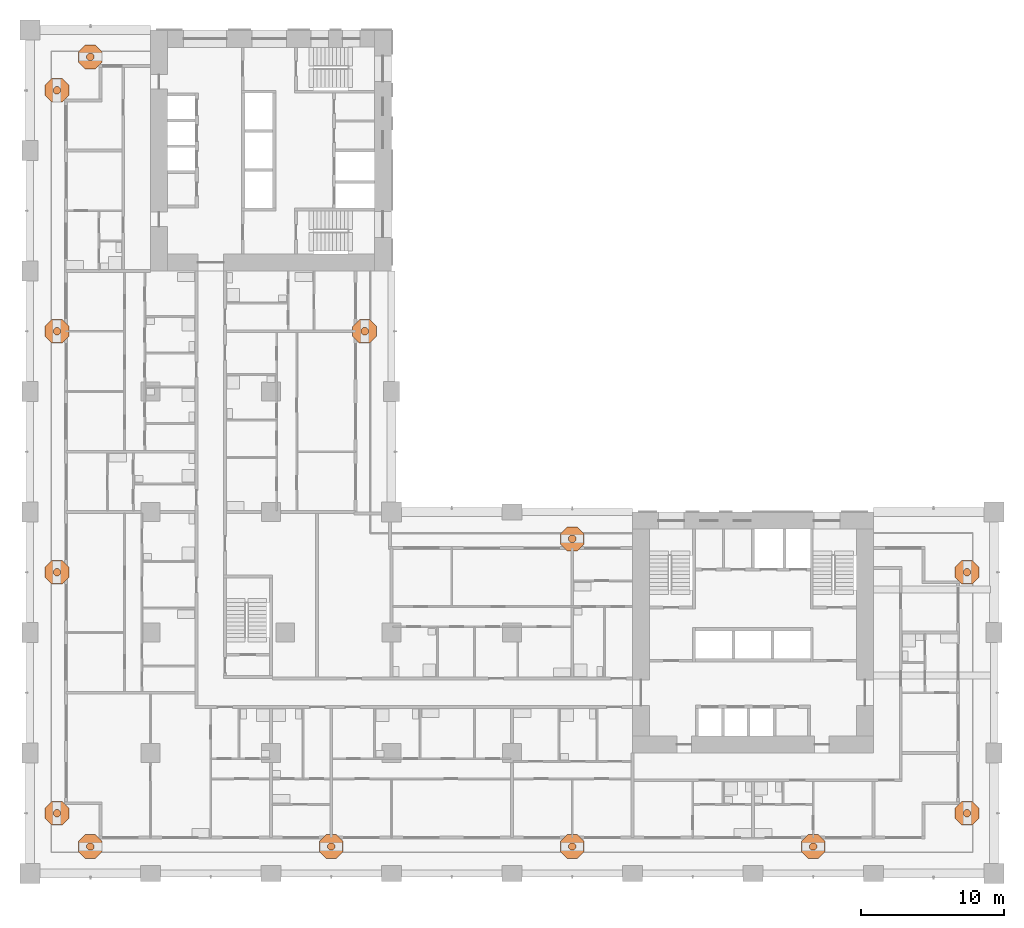
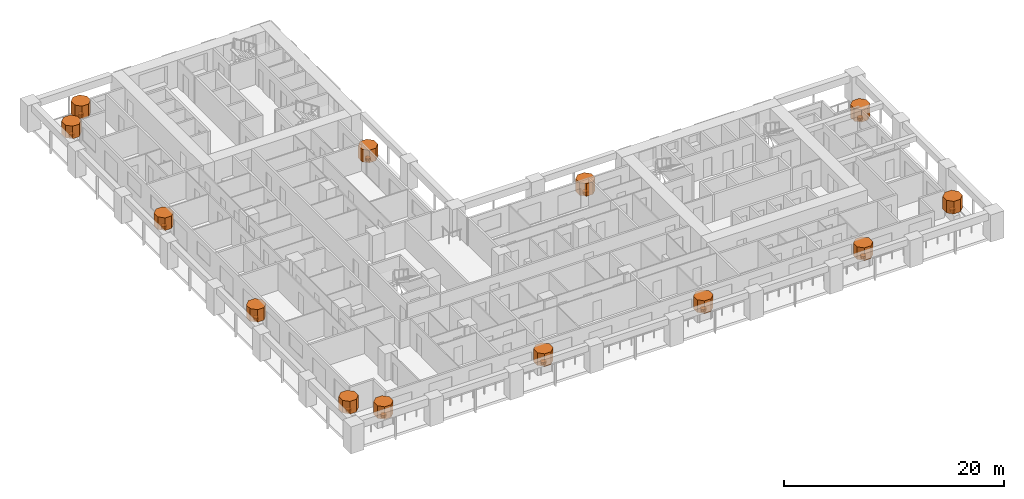
# One storey, part 21 of 21: 26 geographic elements.
"""IFC4 building model written with IfcOpenShell, lengths in metres."""

from ifc_helpers import new_model, si_unit, direction, frame, origin, place, context, subcontext, project, spatial, polyline, outline, extrude, material, element, save


model = new_model("IFC4")

# Units and contexts
model_context = context("Model", 3, precision=1e-05, world=origin(), true_north=direction((0.0, 1.0)))
body_context = subcontext(model_context, "Body", "Model", "MODEL_VIEW")
ifc_project = project(units=[si_unit("LENGTHUNIT", "METRE"), si_unit("AREAUNIT", "SQUARE_METRE"), si_unit("VOLUMEUNIT", "CUBIC_METRE"), si_unit("PLANEANGLEUNIT", "RADIAN"), si_unit("MASSUNIT", "GRAM", prefix="KILO")], contexts=[model_context])

# Site, building, storey
site_placement = place(None, origin())
site = spatial("IfcSite", under=ifc_project, at=site_placement, CompositionType="ELEMENT")
building_placement = place(site_placement, origin())
building = spatial("IfcBuilding", under=site, at=building_placement, Name="Vermilion Gate Residences", CompositionType="ELEMENT")
storey_placement = place(building_placement, frame((0.0, 0.0, 70.699951171875)))
storey = spatial("IfcBuildingStorey", under=building, at=storey_placement, Name="L17", CompositionType="ELEMENT", Elevation=70.699951171875)

# Geographic elements
ifc_material = material(Name="Foliage")
geographic_element_1_placement = place(storey_placement, frame((0.0, 0.0, 0.900146484375)))
element("IfcGeographicElement", 1, at=geographic_element_1_placement, inside=storey, material=ifc_material, Name="Tree (black pine)", ObjectType="TREE", PredefinedType="USERDEFINED", context=body_context, shape_type="SweptSolid", body=[
    extrude(outline(polyline([(4.4541015625, 1.980224609375), (4.30517578125, 2.129150390625), (4.0947265625, 2.129150390625), (3.94580078125, 1.980224609375), (3.94580078125, 1.769775390625), (4.0947265625, 1.620849609375), (4.30517578125, 1.620849609375), (4.4541015625, 1.769775390625), (4.4541015625, 1.980224609375)])), origin(), (0.0, 0.0, 1.0), 0.2998046875),
])
geographic_element_2_placement = place(storey_placement, frame((0.0, 0.0, 1.199951171875)))
element("IfcGeographicElement", 2, at=geographic_element_2_placement, inside=storey, material=ifc_material, Name="Tree crown (black pine)", ObjectType="TREE", PredefinedType="USERDEFINED", context=body_context, shape_type="SweptSolid", body=[
    extrude(outline(polyline([(5.031494140625, 2.219482421875), (4.54443359375, 2.70654296875), (3.855712890625, 2.70654296875), (3.368408203125, 2.219482421875), (3.368408203125, 1.530517578125), (3.855712890625, 1.04345703125), (4.54443359375, 1.04345703125), (5.031494140625, 1.530517578125), (5.031494140625, 2.219482421875)])), origin(), (0.0, 0.0, 1.0), 1.400146484375),
])
geographic_element_3_placement = place(storey_placement, frame((0.0, 0.0, 0.900146484375)))
element("IfcGeographicElement", 3, at=geographic_element_3_placement, inside=storey, material=ifc_material, Name="Tree (maple)", ObjectType="TREE", PredefinedType="USERDEFINED", context=body_context, shape_type="SweptSolid", body=[
    extrude(outline(polyline([(21.254150390625, 1.980224609375), (21.105224609375, 2.129150390625), (20.894775390625, 2.129150390625), (20.745849609375, 1.980224609375), (20.745849609375, 1.769775390625), (20.894775390625, 1.620849609375), (21.105224609375, 1.620849609375), (21.254150390625, 1.769775390625), (21.254150390625, 1.980224609375)])), origin(), (0.0, 0.0, 1.0), 0.2998046875),
])
geographic_element_4_placement = place(storey_placement, frame((0.0, 0.0, 1.199951171875)))
element("IfcGeographicElement", 4, at=geographic_element_4_placement, inside=storey, material=ifc_material, Name="Tree crown (maple)", ObjectType="TREE", PredefinedType="USERDEFINED", context=body_context, shape_type="SweptSolid", body=[
    extrude(outline(polyline([(21.83154296875, 2.219482421875), (21.344482421875, 2.70654296875), (20.655517578125, 2.70654296875), (20.16845703125, 2.219482421875), (20.16845703125, 1.530517578125), (20.655517578125, 1.04345703125), (21.344482421875, 1.04345703125), (21.83154296875, 1.530517578125), (21.83154296875, 2.219482421875)])), origin(), (0.0, 0.0, 1.0), 1.400146484375),
])
geographic_element_5_placement = place(storey_placement, frame((0.0, 0.0, 0.900146484375)))
element("IfcGeographicElement", 5, at=geographic_element_5_placement, inside=storey, material=ifc_material, Name="Tree (black pine)", ObjectType="TREE", PredefinedType="USERDEFINED", context=body_context, shape_type="SweptSolid", body=[
    extrude(outline(polyline([(38.05419921875, 1.980224609375), (37.9052734375, 2.129150390625), (37.69482421875, 2.129150390625), (37.5458984375, 1.980224609375), (37.5458984375, 1.769775390625), (37.69482421875, 1.620849609375), (37.9052734375, 1.620849609375), (38.05419921875, 1.769775390625), (38.05419921875, 1.980224609375)])), origin(), (0.0, 0.0, 1.0), 0.2998046875),
])
geographic_element_6_placement = place(storey_placement, frame((0.0, 0.0, 1.199951171875)))
element("IfcGeographicElement", 6, at=geographic_element_6_placement, inside=storey, material=ifc_material, Name="Tree crown (black pine)", ObjectType="TREE", PredefinedType="USERDEFINED", context=body_context, shape_type="SweptSolid", body=[
    extrude(outline(polyline([(38.631591796875, 2.219482421875), (38.144287109375, 2.70654296875), (37.45556640625, 2.70654296875), (36.968505859375, 2.219482421875), (36.968505859375, 1.530517578125), (37.45556640625, 1.04345703125), (38.144287109375, 1.04345703125), (38.631591796875, 1.530517578125), (38.631591796875, 2.219482421875)])), origin(), (0.0, 0.0, 1.0), 1.400146484375),
])
geographic_element_7_placement = place(storey_placement, frame((0.0, 0.0, 0.900146484375)))
element("IfcGeographicElement", 7, at=geographic_element_7_placement, inside=storey, material=ifc_material, Name="Tree (maple)", ObjectType="TREE", PredefinedType="USERDEFINED", context=body_context, shape_type="SweptSolid", body=[
    extrude(outline(polyline([(54.85400390625, 1.980224609375), (54.705078125, 2.129150390625), (54.494873046875, 2.129150390625), (54.345947265625, 1.980224609375), (54.345947265625, 1.769775390625), (54.494873046875, 1.620849609375), (54.705078125, 1.620849609375), (54.85400390625, 1.769775390625), (54.85400390625, 1.980224609375)])), origin(), (0.0, 0.0, 1.0), 0.2998046875),
])
geographic_element_8_placement = place(storey_placement, frame((0.0, 0.0, 1.199951171875)))
element("IfcGeographicElement", 8, at=geographic_element_8_placement, inside=storey, material=ifc_material, Name="Tree crown (maple)", ObjectType="TREE", PredefinedType="USERDEFINED", context=body_context, shape_type="SweptSolid", body=[
    extrude(outline(polyline([(55.431396484375, 2.219482421875), (54.9443359375, 2.70654296875), (54.255615234375, 2.70654296875), (53.7685546875, 2.219482421875), (53.7685546875, 1.530517578125), (54.255615234375, 1.04345703125), (54.9443359375, 1.04345703125), (55.431396484375, 1.530517578125), (55.431396484375, 2.219482421875)])), origin(), (0.0, 0.0, 1.0), 1.400146484375),
])
geographic_element_9_placement = place(storey_placement, frame((0.0, 0.0, 0.900146484375)))
element("IfcGeographicElement", 9, at=geographic_element_9_placement, inside=storey, material=ifc_material, Name="Tree (black pine)", ObjectType="TREE", PredefinedType="USERDEFINED", context=body_context, shape_type="SweptSolid", body=[
    extrude(outline(polyline([(65.5791015625, 4.30517578125), (65.43017578125, 4.4541015625), (65.2197265625, 4.4541015625), (65.07080078125, 4.30517578125), (65.07080078125, 4.0947265625), (65.2197265625, 3.94580078125), (65.43017578125, 3.94580078125), (65.5791015625, 4.0947265625), (65.5791015625, 4.30517578125)])), origin(), (0.0, 0.0, 1.0), 0.2998046875),
])
geographic_element_10_placement = place(storey_placement, frame((0.0, 0.0, 1.199951171875)))
element("IfcGeographicElement", 10, at=geographic_element_10_placement, inside=storey, material=ifc_material, Name="Tree crown (black pine)", ObjectType="TREE", PredefinedType="USERDEFINED", context=body_context, shape_type="SweptSolid", body=[
    extrude(outline(polyline([(66.156494140625, 4.54443359375), (65.66943359375, 5.031494140625), (64.980712890625, 5.031494140625), (64.493408203125, 4.54443359375), (64.493408203125, 3.855712890625), (64.980712890625, 3.368408203125), (65.66943359375, 3.368408203125), (66.156494140625, 3.855712890625), (66.156494140625, 4.54443359375)])), origin(), (0.0, 0.0, 1.0), 1.400146484375),
])
geographic_element_11_placement = place(storey_placement, frame((0.0, 0.0, 0.900146484375)))
element("IfcGeographicElement", 11, at=geographic_element_11_placement, inside=storey, material=ifc_material, Name="Tree (maple)", ObjectType="TREE", PredefinedType="USERDEFINED", context=body_context, shape_type="SweptSolid", body=[
    extrude(outline(polyline([(65.5791015625, 21.105224609375), (65.43017578125, 21.254150390625), (65.2197265625, 21.254150390625), (65.07080078125, 21.105224609375), (65.07080078125, 20.894775390625), (65.2197265625, 20.745849609375), (65.43017578125, 20.745849609375), (65.5791015625, 20.894775390625), (65.5791015625, 21.105224609375)])), origin(), (0.0, 0.0, 1.0), 0.2998046875),
])
geographic_element_12_placement = place(storey_placement, frame((0.0, 0.0, 1.199951171875)))
element("IfcGeographicElement", 12, at=geographic_element_12_placement, inside=storey, material=ifc_material, Name="Tree crown (maple)", ObjectType="TREE", PredefinedType="USERDEFINED", context=body_context, shape_type="SweptSolid", body=[
    extrude(outline(polyline([(66.156494140625, 21.344482421875), (65.66943359375, 21.83154296875), (64.980712890625, 21.83154296875), (64.493408203125, 21.344482421875), (64.493408203125, 20.655517578125), (64.980712890625, 20.16845703125), (65.66943359375, 20.16845703125), (66.156494140625, 20.655517578125), (66.156494140625, 21.344482421875)])), origin(), (0.0, 0.0, 1.0), 1.400146484375),
])
geographic_element_13_placement = place(storey_placement, frame((0.0, 0.0, 0.900146484375)))
element("IfcGeographicElement", 13, at=geographic_element_13_placement, inside=storey, material=ifc_material, Name="Tree (black pine)", ObjectType="TREE", PredefinedType="USERDEFINED", context=body_context, shape_type="SweptSolid", body=[
    extrude(outline(polyline([(38.05419921875, 23.43017578125), (37.9052734375, 23.5791015625), (37.69482421875, 23.5791015625), (37.5458984375, 23.43017578125), (37.5458984375, 23.2197265625), (37.69482421875, 23.07080078125), (37.9052734375, 23.07080078125), (38.05419921875, 23.2197265625), (38.05419921875, 23.43017578125)])), origin(), (0.0, 0.0, 1.0), 0.2998046875),
])
geographic_element_14_placement = place(storey_placement, frame((0.0, 0.0, 1.199951171875)))
element("IfcGeographicElement", 14, at=geographic_element_14_placement, inside=storey, material=ifc_material, Name="Tree crown (black pine)", ObjectType="TREE", PredefinedType="USERDEFINED", context=body_context, shape_type="SweptSolid", body=[
    extrude(outline(polyline([(38.631591796875, 23.66943359375), (38.144287109375, 24.156494140625), (37.45556640625, 24.156494140625), (36.968505859375, 23.66943359375), (36.968505859375, 22.980712890625), (37.45556640625, 22.493408203125), (38.144287109375, 22.493408203125), (38.631591796875, 22.980712890625), (38.631591796875, 23.66943359375)])), origin(), (0.0, 0.0, 1.0), 1.400146484375),
])
geographic_element_15_placement = place(storey_placement, frame((0.0, 0.0, 0.900146484375)))
element("IfcGeographicElement", 15, at=geographic_element_15_placement, inside=storey, material=ifc_material, Name="Tree (black pine)", ObjectType="TREE", PredefinedType="USERDEFINED", context=body_context, shape_type="SweptSolid", body=[
    extrude(outline(polyline([(23.5791015625, 37.9052734375), (23.43017578125, 38.05419921875), (23.2197265625, 38.05419921875), (23.07080078125, 37.9052734375), (23.07080078125, 37.69482421875), (23.2197265625, 37.5458984375), (23.43017578125, 37.5458984375), (23.5791015625, 37.69482421875), (23.5791015625, 37.9052734375)])), origin(), (0.0, 0.0, 1.0), 0.2998046875),
])
geographic_element_16_placement = place(storey_placement, frame((0.0, 0.0, 1.199951171875)))
element("IfcGeographicElement", 16, at=geographic_element_16_placement, inside=storey, material=ifc_material, Name="Tree crown (black pine)", ObjectType="TREE", PredefinedType="USERDEFINED", context=body_context, shape_type="SweptSolid", body=[
    extrude(outline(polyline([(24.156494140625, 38.144287109375), (23.66943359375, 38.631591796875), (22.980712890625, 38.631591796875), (22.493408203125, 38.144287109375), (22.493408203125, 37.45556640625), (22.980712890625, 36.968505859375), (23.66943359375, 36.968505859375), (24.156494140625, 37.45556640625), (24.156494140625, 38.144287109375)])), origin(), (0.0, 0.0, 1.0), 1.400146484375),
])
geographic_element_17_placement = place(storey_placement, frame((0.0, 0.0, 0.900146484375)))
element("IfcGeographicElement", 17, at=geographic_element_17_placement, inside=storey, material=ifc_material, Name="Tree (black pine)", ObjectType="TREE", PredefinedType="USERDEFINED", context=body_context, shape_type="SweptSolid", body=[
    extrude(outline(polyline([(4.4541015625, 57.0302734375), (4.30517578125, 57.17919921875), (4.0947265625, 57.17919921875), (3.94580078125, 57.0302734375), (3.94580078125, 56.81982421875), (4.0947265625, 56.6708984375), (4.30517578125, 56.6708984375), (4.4541015625, 56.81982421875), (4.4541015625, 57.0302734375)])), origin(), (0.0, 0.0, 1.0), 0.2998046875),
])
geographic_element_18_placement = place(storey_placement, frame((0.0, 0.0, 1.199951171875)))
element("IfcGeographicElement", 18, at=geographic_element_18_placement, inside=storey, material=ifc_material, Name="Tree crown (black pine)", ObjectType="TREE", PredefinedType="USERDEFINED", context=body_context, shape_type="SweptSolid", body=[
    extrude(outline(polyline([(5.031494140625, 57.269287109375), (4.54443359375, 57.756591796875), (3.855712890625, 57.756591796875), (3.368408203125, 57.269287109375), (3.368408203125, 56.58056640625), (3.855712890625, 56.093505859375), (4.54443359375, 56.093505859375), (5.031494140625, 56.58056640625), (5.031494140625, 57.269287109375)])), origin(), (0.0, 0.0, 1.0), 1.400146484375),
])
geographic_element_19_placement = place(storey_placement, frame((0.0, 0.0, 0.900146484375)))
element("IfcGeographicElement", 19, at=geographic_element_19_placement, inside=storey, material=ifc_material, Name="Tree (black pine)", ObjectType="TREE", PredefinedType="USERDEFINED", context=body_context, shape_type="SweptSolid", body=[
    extrude(outline(polyline([(2.129150390625, 4.30517578125), (1.980224609375, 4.4541015625), (1.769775390625, 4.4541015625), (1.620849609375, 4.30517578125), (1.620849609375, 4.0947265625), (1.769775390625, 3.94580078125), (1.980224609375, 3.94580078125), (2.129150390625, 4.0947265625), (2.129150390625, 4.30517578125)])), origin(), (0.0, 0.0, 1.0), 0.2998046875),
])
geographic_element_20_placement = place(storey_placement, frame((0.0, 0.0, 1.199951171875)))
element("IfcGeographicElement", 20, at=geographic_element_20_placement, inside=storey, material=ifc_material, Name="Tree crown (black pine)", ObjectType="TREE", PredefinedType="USERDEFINED", context=body_context, shape_type="SweptSolid", body=[
    extrude(outline(polyline([(2.70654296875, 4.54443359375), (2.219482421875, 5.031494140625), (1.530517578125, 5.031494140625), (1.04345703125, 4.54443359375), (1.04345703125, 3.855712890625), (1.530517578125, 3.368408203125), (2.219482421875, 3.368408203125), (2.70654296875, 3.855712890625), (2.70654296875, 4.54443359375)])), origin(), (0.0, 0.0, 1.0), 1.400146484375),
])
geographic_element_21_placement = place(storey_placement, frame((0.0, 0.0, 0.900146484375)))
element("IfcGeographicElement", 21, at=geographic_element_21_placement, inside=storey, material=ifc_material, Name="Tree (maple)", ObjectType="TREE", PredefinedType="USERDEFINED", context=body_context, shape_type="SweptSolid", body=[
    extrude(outline(polyline([(2.129150390625, 21.105224609375), (1.980224609375, 21.254150390625), (1.769775390625, 21.254150390625), (1.620849609375, 21.105224609375), (1.620849609375, 20.894775390625), (1.769775390625, 20.745849609375), (1.980224609375, 20.745849609375), (2.129150390625, 20.894775390625), (2.129150390625, 21.105224609375)])), origin(), (0.0, 0.0, 1.0), 0.2998046875),
])
geographic_element_22_placement = place(storey_placement, frame((0.0, 0.0, 1.199951171875)))
element("IfcGeographicElement", 22, at=geographic_element_22_placement, inside=storey, material=ifc_material, Name="Tree crown (maple)", ObjectType="TREE", PredefinedType="USERDEFINED", context=body_context, shape_type="SweptSolid", body=[
    extrude(outline(polyline([(2.70654296875, 21.344482421875), (2.219482421875, 21.83154296875), (1.530517578125, 21.83154296875), (1.04345703125, 21.344482421875), (1.04345703125, 20.655517578125), (1.530517578125, 20.16845703125), (2.219482421875, 20.16845703125), (2.70654296875, 20.655517578125), (2.70654296875, 21.344482421875)])), origin(), (0.0, 0.0, 1.0), 1.400146484375),
])
geographic_element_23_placement = place(storey_placement, frame((0.0, 0.0, 0.900146484375)))
element("IfcGeographicElement", 23, at=geographic_element_23_placement, inside=storey, material=ifc_material, Name="Tree (black pine)", ObjectType="TREE", PredefinedType="USERDEFINED", context=body_context, shape_type="SweptSolid", body=[
    extrude(outline(polyline([(2.129150390625, 37.9052734375), (1.980224609375, 38.05419921875), (1.769775390625, 38.05419921875), (1.620849609375, 37.9052734375), (1.620849609375, 37.69482421875), (1.769775390625, 37.5458984375), (1.980224609375, 37.5458984375), (2.129150390625, 37.69482421875), (2.129150390625, 37.9052734375)])), origin(), (0.0, 0.0, 1.0), 0.2998046875),
])
geographic_element_24_placement = place(storey_placement, frame((0.0, 0.0, 1.199951171875)))
element("IfcGeographicElement", 24, at=geographic_element_24_placement, inside=storey, material=ifc_material, Name="Tree crown (black pine)", ObjectType="TREE", PredefinedType="USERDEFINED", context=body_context, shape_type="SweptSolid", body=[
    extrude(outline(polyline([(2.70654296875, 38.144287109375), (2.219482421875, 38.631591796875), (1.530517578125, 38.631591796875), (1.04345703125, 38.144287109375), (1.04345703125, 37.45556640625), (1.530517578125, 36.968505859375), (2.219482421875, 36.968505859375), (2.70654296875, 37.45556640625), (2.70654296875, 38.144287109375)])), origin(), (0.0, 0.0, 1.0), 1.400146484375),
])
geographic_element_25_placement = place(storey_placement, frame((0.0, 0.0, 0.900146484375)))
element("IfcGeographicElement", 25, at=geographic_element_25_placement, inside=storey, material=ifc_material, Name="Tree (maple)", ObjectType="TREE", PredefinedType="USERDEFINED", context=body_context, shape_type="SweptSolid", body=[
    extrude(outline(polyline([(2.129150390625, 54.705078125), (1.980224609375, 54.85400390625), (1.769775390625, 54.85400390625), (1.620849609375, 54.705078125), (1.620849609375, 54.494873046875), (1.769775390625, 54.345947265625), (1.980224609375, 54.345947265625), (2.129150390625, 54.494873046875), (2.129150390625, 54.705078125)])), origin(), (0.0, 0.0, 1.0), 0.2998046875),
])
geographic_element_26_placement = place(storey_placement, frame((0.0, 0.0, 1.199951171875)))
element("IfcGeographicElement", 26, at=geographic_element_26_placement, inside=storey, material=ifc_material, Name="Tree crown (maple)", ObjectType="TREE", PredefinedType="USERDEFINED", context=body_context, shape_type="SweptSolid", body=[
    extrude(outline(polyline([(2.70654296875, 54.9443359375), (2.219482421875, 55.431396484375), (1.530517578125, 55.431396484375), (1.04345703125, 54.9443359375), (1.04345703125, 54.255615234375), (1.530517578125, 53.7685546875), (2.219482421875, 53.7685546875), (2.70654296875, 54.255615234375), (2.70654296875, 54.9443359375)])), origin(), (0.0, 0.0, 1.0), 1.400146484375),
])

save(model, "model.ifc")
